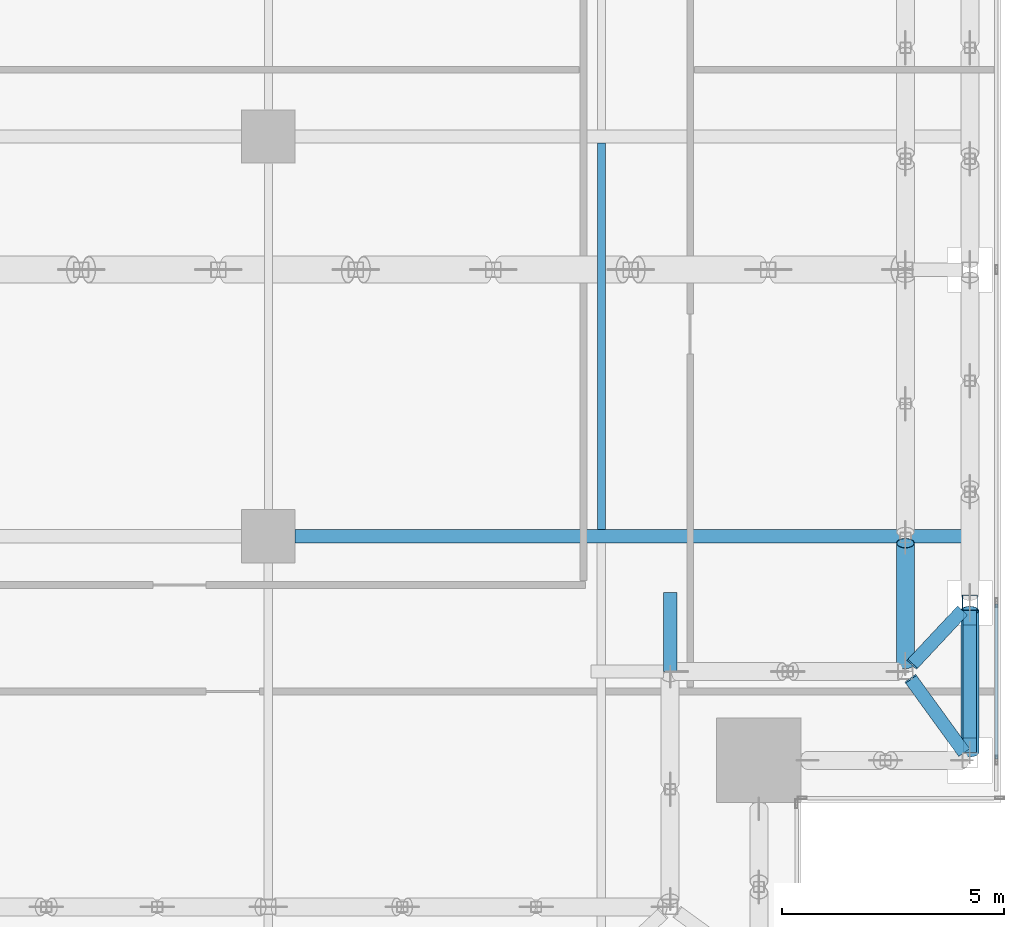
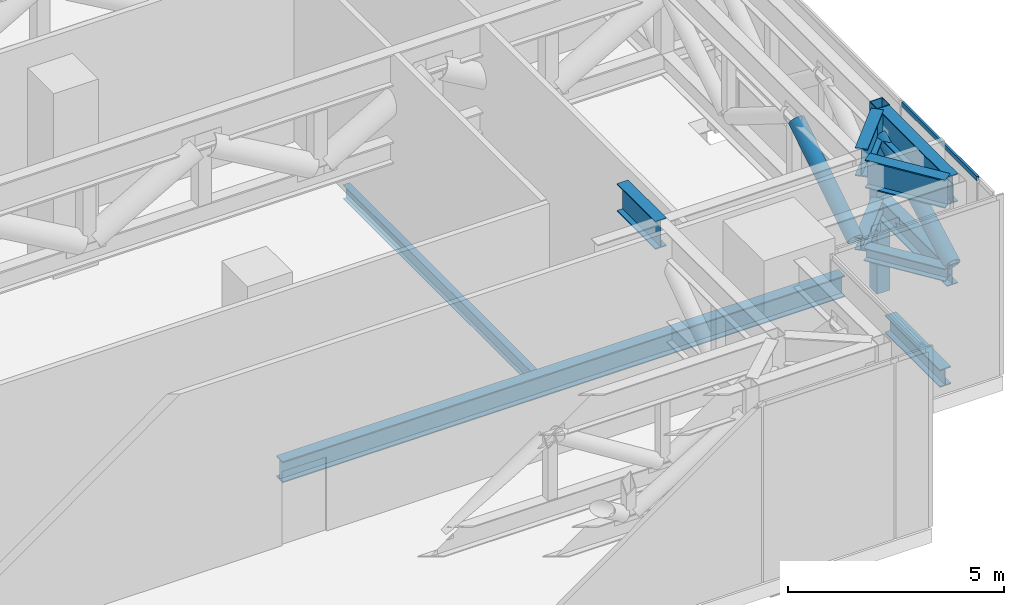
# One storey, part 11 of 36: 7 beams, 7 members, 1 element without a shape of its own.
"""IFC4 building model written with IfcOpenShell, lengths in metres."""

from ifc_helpers import new_model, si_unit, direction, frame, origin, origin_2d, place, context, subcontext, project, spatial, hollow_rectangle, hollow_circle, i_section, extrude, source, transform, mapped, material, material_profile, profile_set, type_object, element, aggregate, save


model = new_model("IFC4")

# Units and contexts
model_context = context("Model", 3, precision=1e-05, world=origin(), true_north=direction((0.0, 1.0)))
body_context = subcontext(model_context, "Body", "Model", "MODEL_VIEW")
ifc_project = project(units=[si_unit("LENGTHUNIT", "METRE"), si_unit("AREAUNIT", "SQUARE_METRE"), si_unit("VOLUMEUNIT", "CUBIC_METRE"), si_unit("PLANEANGLEUNIT", "RADIAN"), si_unit("MASSUNIT", "GRAM", prefix="KILO")], contexts=[model_context])

# Site, building, storey
site_placement = place(None, origin())
site = spatial("IfcSite", under=ifc_project, at=site_placement, CompositionType="ELEMENT")
building_placement = place(site_placement, origin())
building = spatial("IfcBuilding", under=site, at=building_placement, Name="Khomas Fold Tower", CompositionType="ELEMENT")
storey_placement = place(building_placement, frame((0.0, 0.0, 216.699951171875)))
storey = spatial("IfcBuildingStorey", under=building, at=storey_placement, Name="L48", CompositionType="ELEMENT", Elevation=216.699951171875)

# Beams
ifc_material_1 = material(Name="Steel S355", Category="steel")
ifc_material_profile_1 = material_profile(ifc_material_1, i_section(OverallWidth=0.179931640625, OverallDepth=0.39990234375, WebThickness=0.008544921875, FlangeThickness=0.013427734375, at=origin_2d()), Name="IPE 400")
ifc_profile_set_1 = profile_set([ifc_material_profile_1], Name="Steel S355")
beam_type_1 = type_object("IfcBeamType", Name="IPE 400 beam JB3", PredefinedType="BEAM", material=ifc_profile_set_1)
shared_shape_1 = source(origin(), body_context, "Body", "SweptSolid", [
    extrude(i_section(OverallWidth=0.179931640625, OverallDepth=0.39990234375, WebThickness=0.008544921875, FlangeThickness=0.013427734375, at=origin_2d()), origin(), (0.0, 0.0, 1.0), 8.7001953125),
])
beam_1_placement = place(storey_placement, frame((42.0, 13.64990234375, -0.599853515625), z_axis=(0.0, 1.0, 0.0), x_axis=(-1.0, 0.0, 0.0)))
element("IfcBeam", 1, at=beam_1_placement, inside=storey, type_object=beam_type_1, Name="JB3", PredefinedType="BEAM", context=body_context, shape_type="MappedRepresentation", body=[
    mapped(shared_shape_1, transform((0.0, 0.0, 0.0))),
])
ifc_material_2 = material(Name="Steel S355", Category="steel")
ifc_material_profile_2 = material_profile(ifc_material_2, i_section(OverallWidth=0.300048828125, OverallDepth=0.5, WebThickness=0.014404296875, FlangeThickness=0.028076171875, at=origin_2d()), Name="HE 500 B")
ifc_profile_set_2 = profile_set([ifc_material_profile_2], Name="Steel S355")
beam_type_2 = type_object("IfcBeamType", Name="HE 500 B spandrel SB3", PredefinedType="SPANDREL", material=ifc_profile_set_2)
shared_shape_2 = source(origin(), body_context, "Body", "SweptSolid", [
    extrude(i_section(OverallWidth=0.300048828125, OverallDepth=0.5, WebThickness=0.014404296875, FlangeThickness=0.028076171875, at=origin_2d()), origin(), (0.0, 0.0, 1.0), 2.550048828125),
])
beam_2_placement = place(storey_placement, frame((50.300048828125, 8.949951171875, -0.64990234375), z_axis=(0.0, 1.0, 0.0), x_axis=(-1.0, 0.0, 0.0)))
element("IfcBeam", 2, at=beam_2_placement, inside=storey, type_object=beam_type_2, Name="SB3", PredefinedType="SPANDREL", context=body_context, shape_type="MappedRepresentation", body=[
    mapped(shared_shape_2, transform((0.0, 0.0, 0.0))),
])
ifc_material_3 = material(Name="Steel S355", Category="steel")
ifc_material_profile_3 = material_profile(ifc_material_3, i_section(OverallWidth=0.300048828125, OverallDepth=0.60009765625, WebThickness=0.015380859375, FlangeThickness=0.030029296875, at=origin_2d()), Name="HE 600 B")
ifc_profile_set_3 = profile_set([ifc_material_profile_3], Name="Steel S355")
beam_type_3 = type_object("IfcBeamType", Name="HE 600 B beam GB5", PredefinedType="BEAM", material=ifc_profile_set_3)
shared_shape_3 = source(origin(), body_context, "Body", "SweptSolid", [
    extrude(i_section(OverallWidth=0.300048828125, OverallDepth=0.60009765625, WebThickness=0.015380859375, FlangeThickness=0.030029296875, at=origin_2d()), origin(), (0.0, 0.0, 1.0), 15.0498046875),
])
beam_3_placement = place(storey_placement, frame((35.10009765625, 13.5, -0.699951171875), z_axis=(1.0, 0.0, 0.0), x_axis=(0.0, 1.0, 0.0)))
element("IfcBeam", 3, at=beam_3_placement, inside=storey, type_object=beam_type_3, Name="GB5", PredefinedType="BEAM", context=body_context, shape_type="MappedRepresentation", body=[
    mapped(shared_shape_3, transform((0.0, 0.0, 0.0))),
])

# Members
ifc_material_4 = material(Name="Steel S355", Category="steel")
ifc_material_profile_4 = material_profile(ifc_material_4, i_section(OverallWidth=0.300048828125, OverallDepth=0.7900390625, WebThickness=0.014892578125, FlangeThickness=0.028076171875, at=origin_2d()), Name="HE 800 A")
ifc_profile_set_4 = profile_set([ifc_material_profile_4], Name="Steel S355")
member_type_1 = type_object("IfcMemberType", Name="BELT TRUSS 3 TOP CHORD SHORT HE 800 A", PredefinedType="CHORD", material=ifc_profile_set_4)
shared_shape_4 = source(origin(), body_context, "Body", "SweptSolid", [
    extrude(i_section(OverallWidth=0.300048828125, OverallDepth=0.7900390625, WebThickness=0.014892578125, FlangeThickness=0.028076171875, at=origin_2d()), origin(), (0.0, 0.0, 1.0), 3.199951171875),
])
member_1_placement = place(storey_placement, frame((50.300048828125, 8.625, 4.85498046875), z_axis=(0.0, 1.0, 0.0), x_axis=(-1.0, 0.0, 0.0)))
element("IfcMember", 4, at=member_1_placement, inside=storey, type_object=member_type_1, Name="BT3-CTS", PredefinedType="CHORD", context=body_context, shape_type="MappedRepresentation", body=[
    mapped(shared_shape_4, transform((0.0, 0.0, 0.0))),
])
ifc_material_5 = material(Name="Steel S355", Category="steel")
ifc_material_profile_5 = material_profile(ifc_material_5, i_section(OverallWidth=0.300048828125, OverallDepth=0.590087890625, WebThickness=0.012939453125, FlangeThickness=0.02490234375, at=origin_2d()), Name="HE 600 A")
ifc_profile_set_5 = profile_set([ifc_material_profile_5], Name="Steel S355")
member_type_2 = type_object("IfcMemberType", Name="BELT TRUSS 3 BOTTOM CHORD SHORT HE 600 A", PredefinedType="CHORD", material=ifc_profile_set_5)
shared_shape_5 = source(origin(), body_context, "Body", "SweptSolid", [
    extrude(i_section(OverallWidth=0.300048828125, OverallDepth=0.590087890625, WebThickness=0.012939453125, FlangeThickness=0.02490234375, at=origin_2d()), origin(), (0.0, 0.0, 1.0), 3.199951171875),
])
member_2_placement = place(storey_placement, frame((50.300048828125, 8.625, 2.445068359375), z_axis=(0.0, 1.0, 0.0), x_axis=(-1.0, 0.0, 0.0)))
element("IfcMember", 5, at=member_2_placement, inside=storey, type_object=member_type_2, Name="BT3-CBS", PredefinedType="CHORD", context=body_context, shape_type="MappedRepresentation", body=[
    mapped(shared_shape_5, transform((0.0, 0.0, 0.0))),
])
ifc_material_6 = material(Name="Steel S355", Category="steel")
ifc_material_profile_6 = material_profile(ifc_material_6, hollow_circle(Radius=0.203125, WallThickness=0.012451171875, at=origin_2d()), Name="CHS 406.4x12.5")
ifc_profile_set_6 = profile_set([ifc_material_profile_6], Name="Steel S355")
member_type_3 = type_object("IfcMemberType", Name="BELT TRUSS 3 DIAGONAL LONG CHS 406.4x12.5", PredefinedType="BRACE", material=ifc_profile_set_6)
shared_shape_6 = source(origin(), body_context, "Body", "SweptSolid", [
    extrude(hollow_circle(Radius=0.203125, WallThickness=0.012451171875, at=origin_2d()), origin(), (0.0, 0.0, 1.0), 3.6376953125),
])
member_3_placement = place(storey_placement, frame((50.300048828125, 8.625, 2.735107421875), z_axis=(0.0, 0.879674642469, 0.475575991191), x_axis=(-1.0, 0.0, 0.0)))
element("IfcMember", 6, at=member_3_placement, inside=storey, type_object=member_type_3, Name="BT3-DL", PredefinedType="BRACE", context=body_context, shape_type="MappedRepresentation", body=[
    mapped(shared_shape_6, transform((0.0, 0.0, 0.0))),
])
ifc_material_7 = material(Name="Steel S355", Category="steel")
ifc_material_profile_7 = material_profile(ifc_material_7, hollow_circle(Radius=0.203125, WallThickness=0.012451171875, at=origin_2d()), Name="CHS 406.4x12.5")
ifc_profile_set_7 = profile_set([ifc_material_profile_7], Name="Steel S355")
member_type_4 = type_object("IfcMemberType", Name="BELT TRUSS 3 DIAGONAL CHS 406.4x12.5", PredefinedType="BRACE", material=ifc_profile_set_7)
shared_shape_7 = source(origin(), body_context, "Body", "SweptSolid", [
    extrude(hollow_circle(Radius=0.203125, WallThickness=0.012451171875, at=origin_2d()), origin(), (0.0, 0.0, 1.0), 3.220703125),
])
member_4_placement = place(storey_placement, frame((48.85009765625, 10.625, 2.735107421875), z_axis=(0.0, 0.843483522339, 0.537155049815), x_axis=(-1.0, 0.0, 0.0)))
element("IfcMember", 7, at=member_4_placement, inside=storey, type_object=member_type_4, Name="BT3-D", PredefinedType="BRACE", context=body_context, shape_type="MappedRepresentation", body=[
    mapped(shared_shape_7, transform((0.0, 0.0, 0.0))),
])
ifc_material_8 = material(Name="Steel S355", Category="steel")
ifc_material_profile_8 = material_profile(ifc_material_8, i_section(OverallWidth=0.300048828125, OverallDepth=0.7900390625, WebThickness=0.014892578125, FlangeThickness=0.028076171875, at=origin_2d()), Name="HE 800 A")
ifc_profile_set_8 = profile_set([ifc_material_profile_8], Name="Steel S355")
member_type_5 = type_object("IfcMemberType", Name="BELT TRUSS 3 TOP CHORD SHORTER HE 800 A", PredefinedType="CHORD", material=ifc_profile_set_8)
shared_shape_8 = source(origin(), body_context, "Body", "SweptSolid", [
    extrude(i_section(OverallWidth=0.300048828125, OverallDepth=0.7900390625, WebThickness=0.014892578125, FlangeThickness=0.028076171875, at=origin_2d()), origin(), (0.0, 0.0, 1.0), 1.780029296875),
])
member_5_placement = place(storey_placement, frame((43.550048828125, 10.449951171875, 4.85498046875), z_axis=(0.0, 1.0, 0.0), x_axis=(-1.0, 0.0, 0.0)))
element("IfcMember", 8, at=member_5_placement, inside=storey, type_object=member_type_5, Name="BT3-CTSS", PredefinedType="CHORD", context=body_context, shape_type="MappedRepresentation", body=[
    mapped(shared_shape_8, transform((0.0, 0.0, 0.0))),
])
ifc_material_9 = material(Name="Steel S355", Category="steel")
ifc_material_profile_9 = material_profile(ifc_material_9, hollow_rectangle(XDim=0.35009765625, YDim=0.35009765625, WallThickness=0.01611328125, at=origin_2d()), Name="SHS 350x350x16")
ifc_profile_set_9 = profile_set([ifc_material_profile_9], Name="Steel S355")
member_type_6 = type_object("IfcMemberType", Name="BELT TRUSS 3 COLUMN POST SHS 350x350x16", PredefinedType="POST", material=ifc_profile_set_9)
shared_shape_9 = source(origin(), body_context, "Body", "SweptSolid", [
    extrude(hollow_rectangle(XDim=0.35009765625, YDim=0.35009765625, WallThickness=0.01611328125, at=origin_2d()), origin(), (0.0, 0.0, 1.0), 5.25),
])
member_6_placement = place(storey_placement, frame((50.300048828125, 12.0, 0.0), z_axis=(0.0, 0.0, 1.0), x_axis=(1.0, 0.0, 0.0)))
element("IfcMember", 9, at=member_6_placement, inside=storey, type_object=member_type_6, Name="BT3-P", PredefinedType="POST", context=body_context, shape_type="MappedRepresentation", body=[
    mapped(shared_shape_9, transform((0.0, 0.0, 0.0))),
])

# Beams
ifc_material_10 = material(Name="Steel S460M", Category="steel")
ifc_material_profile_10 = material_profile(ifc_material_10, i_section(OverallWidth=0.300048828125, OverallDepth=0.800048828125, WebThickness=0.017578125, FlangeThickness=0.032958984375, at=origin_2d()), Name="HE 800 B")
ifc_profile_set_10 = profile_set([ifc_material_profile_10], Name="Steel S460M")
beam_type_4 = type_object("IfcBeamType", Name="BELT TRUSS 3 TOP TRANSFER STRUT HE 800 B", PredefinedType="BEAM", material=ifc_profile_set_10)
shared_shape_10 = source(origin(), body_context, "Body", "SweptSolid", [
    extrude(i_section(OverallWidth=0.300048828125, OverallDepth=0.800048828125, WebThickness=0.017578125, FlangeThickness=0.032958984375, at=origin_2d()), origin(), (0.0, 0.0, 1.0), 1.64306640625),
])
beam_4_placement = place(storey_placement, frame((49.013671875, 10.625, 4.85009765625), z_axis=(0.683164796783, 0.730264240146, 0.0), x_axis=(-0.730264240146, 0.683164796783, 0.0)))
element("IfcBeam", 10, at=beam_4_placement, inside=storey, type_object=beam_type_4, Name="BT3-STD", PredefinedType="BEAM", context=body_context, shape_type="MappedRepresentation", body=[
    mapped(shared_shape_10, transform((0.0, 0.0, 0.0))),
])
ifc_material_11 = material(Name="Steel S355", Category="steel")
ifc_material_profile_11 = material_profile(ifc_material_11, i_section(OverallWidth=0.300048828125, OverallDepth=0.360107421875, WebThickness=0.012451171875, FlangeThickness=0.0224609375, at=origin_2d()), Name="HE 360 B")
ifc_profile_set_11 = profile_set([ifc_material_profile_11], Name="Steel S355")
beam_type_5 = type_object("IfcBeamType", Name="BELT TRUSS 3 BOTTOM STRUT HE 360 B", PredefinedType="BEAM", material=ifc_profile_set_11)
shared_shape_11 = source(origin(), body_context, "Body", "SweptSolid", [
    extrude(i_section(OverallWidth=0.300048828125, OverallDepth=0.360107421875, WebThickness=0.012451171875, FlangeThickness=0.0224609375, at=origin_2d()), origin(), (0.0, 0.0, 1.0), 1.677490234375),
])
beam_5_placement = place(storey_placement, frame((48.990234375, 10.60009765625, 2.56005859375), z_axis=(0.68320970901, 0.730222222008, 0.0), x_axis=(-0.730222222008, 0.68320970901, 0.0)))
element("IfcBeam", 11, at=beam_5_placement, inside=storey, type_object=beam_type_5, Name="BT3-SB", PredefinedType="BEAM", context=body_context, shape_type="MappedRepresentation", body=[
    mapped(shared_shape_11, transform((0.0, 0.0, 0.0))),
])
shared_shape_12 = source(origin(), body_context, "Body", "SweptSolid", [
    extrude(i_section(OverallWidth=0.300048828125, OverallDepth=0.800048828125, WebThickness=0.017578125, FlangeThickness=0.032958984375, at=origin_2d()), origin(), (0.0, 0.0, 1.0), 2.037841796875),
])
beam_6_placement = place(storey_placement, frame((48.976806640625, 10.27490234375, 4.85009765625), z_axis=(0.58700290621, -0.809584824525, 0.0), x_axis=(0.809584824525, 0.58700290621, 0.0)))
element("IfcBeam", 12, at=beam_6_placement, inside=storey, type_object=beam_type_4, Name="BT3-STD", PredefinedType="BEAM", context=body_context, shape_type="MappedRepresentation", body=[
    mapped(shared_shape_12, transform((0.0, 0.0, 0.0))),
])
ifc_material_12 = material(Name="Steel S355", Category="steel")
ifc_material_profile_12 = material_profile(ifc_material_12, i_section(OverallWidth=0.300048828125, OverallDepth=0.360107421875, WebThickness=0.012451171875, FlangeThickness=0.0224609375, at=origin_2d()), Name="HE 360 B")
ifc_profile_set_12 = profile_set([ifc_material_profile_12], Name="Steel S355")
beam_type_6 = type_object("IfcBeamType", Name="BELT TRUSS 3 BOTTOM STRUT LONG HE 360 B", PredefinedType="BEAM", material=ifc_profile_set_12)
shared_shape_13 = source(origin(), body_context, "Body", "SweptSolid", [
    extrude(i_section(OverallWidth=0.300048828125, OverallDepth=0.360107421875, WebThickness=0.012451171875, FlangeThickness=0.0224609375, at=origin_2d()), origin(), (0.0, 0.0, 1.0), 2.06884765625),
])
beam_7_placement = place(storey_placement, frame((48.958740234375, 10.300048828125, 2.56005859375), z_axis=(0.586950168083, -0.809623060558, 0.0), x_axis=(0.809623060558, 0.586950168083, 0.0)))
element("IfcBeam", 13, at=beam_7_placement, inside=storey, type_object=beam_type_6, Name="BT3-SBL", PredefinedType="BEAM", context=body_context, shape_type="MappedRepresentation", body=[
    mapped(shared_shape_13, transform((0.0, 0.0, 0.0))),
])

# Curtain wall, member
ifc_material_13 = material(Name="Aluminium framed double glazing", Category="aluminium")
curtain_wall_type = type_object("IfcCurtainWallType", Name="SK-Plant louvre wall CW4", PredefinedType="NOTDEFINED", material=ifc_material_13)
curtain_wall_placement = place(storey_placement, origin())
curtain_wall = element("IfcCurtainWall", 14, at=curtain_wall_placement, inside=storey, type_object=curtain_wall_type, Name="CW4 run L48 03-0", PredefinedType="NOTDEFINED")
ifc_material_14 = material(Name="Aluminium", Category="aluminium")
ifc_material_profile_13 = material_profile(ifc_material_14, hollow_rectangle(XDim=0.06005859375, YDim=0.1201171875, WallThickness=0.00390625, at=origin_2d()), Name="SK-Plant louvre wall transom CW4-T")
ifc_profile_set_13 = profile_set([ifc_material_profile_13], Name="Aluminium")
member_type_7 = type_object("IfcMemberType", Name="SK-Plant louvre wall transom CW4-T", PredefinedType="USERDEFINED", material=ifc_profile_set_13)
shared_shape_14 = source(origin(), body_context, "Body", "SweptSolid", [
    extrude(hollow_rectangle(XDim=0.06005859375, YDim=0.1201171875, WallThickness=0.00390625, at=origin_2d()), origin(), (0.0, 0.0, 1.0), 3.489990234375),
])
member_7_placement = place(storey_placement, frame((50.89990234375, 8.47998046875, 5.0400390625), z_axis=(0.0, 1.0, 0.0), x_axis=(-1.0, 0.0, 0.0)))
member_7 = element("IfcMember", 15, at=member_7_placement, type_object=member_type_7, Name="CW4 transom 2", ObjectType="TRANSOM", PredefinedType="USERDEFINED", context=body_context, shape_type="MappedRepresentation", body=[
    mapped(shared_shape_14, transform((0.0, 0.0, 0.0))),
])
aggregate(curtain_wall, [member_7])

save(model, "model.ifc")
